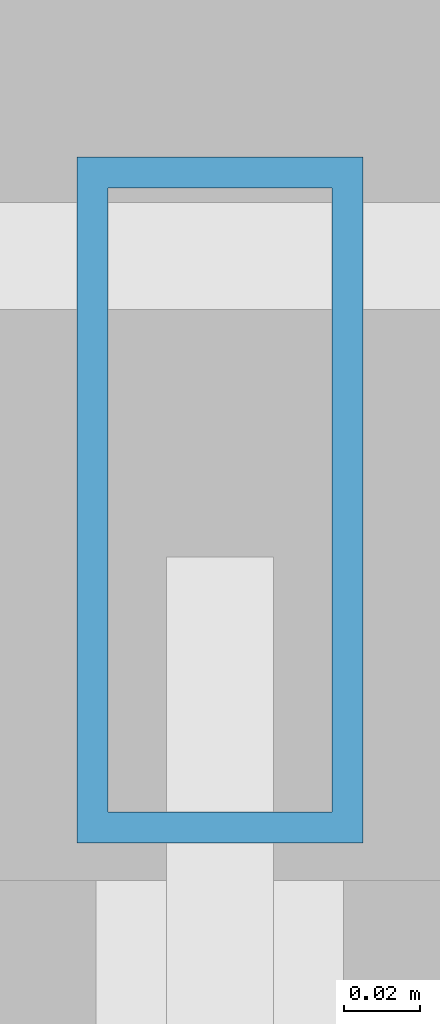
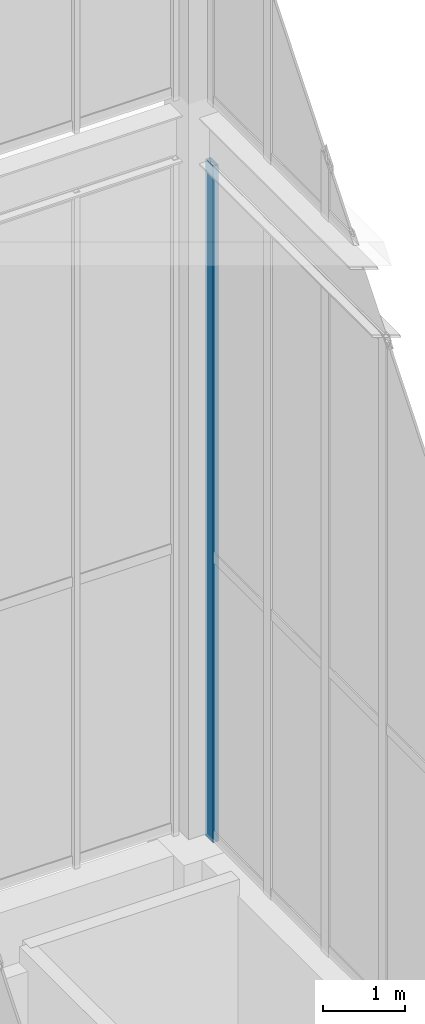
# One storey, part 121 of 135: 1 member, 1 element without a shape of its own.
"""IFC4 building model written with IfcOpenShell, lengths in metres."""

from ifc_helpers import new_model, si_unit, direction, frame, origin, origin_2d, place, context, subcontext, project, spatial, hollow_rectangle, extrude, source, transform, mapped, material, layer, layer_set, material_profile, profile_set, type_object, element, aggregate, save


model = new_model("IFC4")

# Units and contexts
model_context = context("Model", 3, precision=1e-05, world=origin(), true_north=direction((0.0, 1.0)))
body_context = subcontext(model_context, "Body", "Model", "MODEL_VIEW")
ifc_project = project(units=[si_unit("LENGTHUNIT", "METRE"), si_unit("AREAUNIT", "SQUARE_METRE"), si_unit("VOLUMEUNIT", "CUBIC_METRE"), si_unit("PLANEANGLEUNIT", "RADIAN"), si_unit("MASSUNIT", "GRAM", prefix="KILO")], contexts=[model_context])

# Site, building, storey
site_placement = place(None, origin())
site = spatial("IfcSite", under=ifc_project, at=site_placement, CompositionType="ELEMENT")
building_placement = place(site_placement, origin())
building = spatial("IfcBuilding", under=site, at=building_placement, Name="Giltprow Tower", CompositionType="ELEMENT")
storey_placement = place(building_placement, frame((0.0, 0.0, 352.699951171875)))
storey = spatial("IfcBuildingStorey", under=building, at=storey_placement, Name="L92", CompositionType="ELEMENT", Elevation=352.699951171875)

# Curtain wall, member
ifc_material = material(Name="Anodized bronze", Category="metal")
ifc_layer = layer(ifc_material, 0.179931640625, Name="Anodized bronze")
ifc_layer_set = layer_set([ifc_layer], Name="Anodized bronze")
curtain_wall_type = type_object("IfcCurtainWallType", Name="CW-CROWN-LANTERN", PredefinedType="NOTDEFINED", material=ifc_layer_set)
curtain_wall_placement = place(storey_placement, origin())
curtain_wall = element("IfcCurtainWall", 1, at=curtain_wall_placement, inside=storey, type_object=curtain_wall_type, Name="Crown East Lower Lantern Glazing 3", PredefinedType="NOTDEFINED")
ifc_material_profile = material_profile(ifc_material, hollow_rectangle(XDim=0.074951171875, YDim=0.179931640625, WallThickness=0.008056640625, at=origin_2d()), Name="RHS 180x75x8")
ifc_profile_set = profile_set([ifc_material_profile], Name="Anodized bronze")
member_type = type_object("IfcMemberType", Name="CW-MULLION-180x75", PredefinedType="MULLION", material=ifc_profile_set)
shared_shape = source(origin(), body_context, "Body", "SweptSolid", [
    extrude(hollow_rectangle(XDim=0.074951171875, YDim=0.179931640625, WallThickness=0.008056640625, at=origin_2d()), origin(), (0.0, 0.0, 1.0), 10.030029296875),
])
member_placement = place(storey_placement, frame((50.550048828125, 46.199951171875, 6.35009765625), z_axis=(0.0, 0.0, 1.0), x_axis=(1.0, 0.0, 0.0)))
member = element("IfcMember", 2, at=member_placement, type_object=member_type, Name="Crown East Lower Lantern Glazing 3 Mullion 7", PredefinedType="MULLION", context=body_context, shape_type="MappedRepresentation", body=[
    mapped(shared_shape, transform((0.0, 0.0, 0.0), x_axis=(1.0, 0.0, 0.0), y_axis=(0.0, 1.0, 0.0), z_axis=(0.0, 0.0, 1.0), scale=1.0)),
])
aggregate(curtain_wall, [member])

save(model, "model.ifc")
